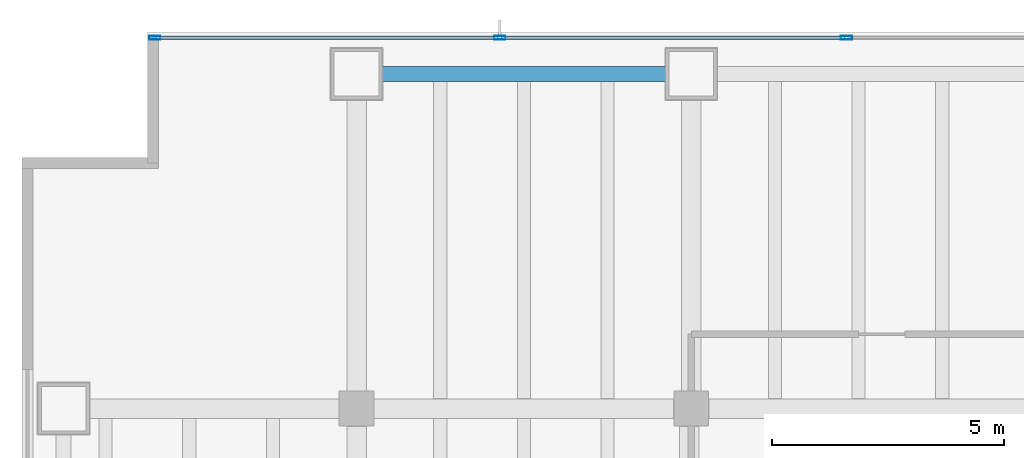
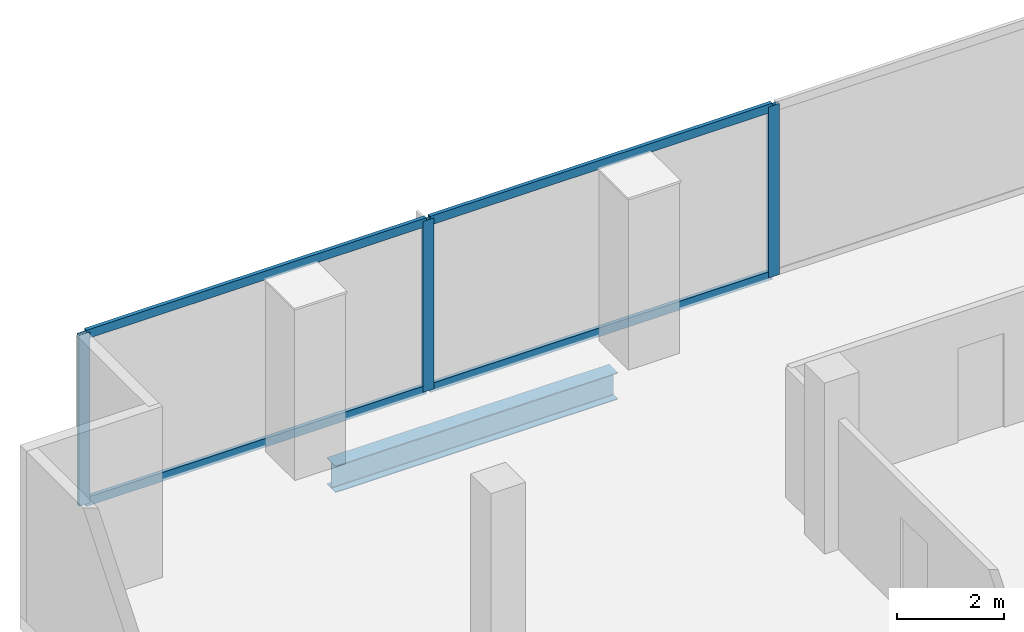
# One storey, part 11 of 32: 7 members, 1 beam, 1 element without a shape of its own.
"""IFC4 building model written with IfcOpenShell, lengths in metres."""

import ifcopenshell
import ifcopenshell.guid

model = None  # the IFC model being written
_history = None  # IfcOwnerHistory: only IFC2X3 demands one
_inside = {}  # id of a spatial element -> (the spatial element, [elements in it])
_under = {}  # id of a project, library or spatial element -> (it, [spatial elements below it])
_declared = {}  # id of a project -> (the project, [libraries it declares])
_typed = {}  # id of a type object -> (the type object, [elements of that type])
_made_of = {}  # id of a material, layer set ... -> (it, [elements and type objects made of it])


def new_model(schema):
    """Start an empty IFC model of exactly this schema.

    Asked for "IFC4X3", IfcOpenShell would pick the latest addendum, in which some entities
    have other attributes; the version numbers below select the first issue.
    IFC2X3 requires an IfcOwnerHistory on every rooted entity: one is made here for all.
    """
    global model, _history
    if schema == "IFC4X3":
        model = ifcopenshell.file(schema_version=(4, 3, 0, 0))
    else:
        model = ifcopenshell.file(schema=schema)
    _inside.clear()
    _under.clear()
    _declared.clear()
    _typed.clear()
    _made_of.clear()
    _history = None
    if model.schema == "IFC2X3":
        org = make("IfcOrganization", Name="unknown")
        user = make(
            "IfcPersonAndOrganization",
            ThePerson=make("IfcPerson", FamilyName="unknown"),
            TheOrganization=org,
        )
        app = make(
            "IfcApplication",
            ApplicationDeveloper=org,
            Version="unknown",
            ApplicationFullName="unknown",
            ApplicationIdentifier="unknown",
        )
        _history = make(
            "IfcOwnerHistory",
            OwningUser=user,
            OwningApplication=app,
            ChangeAction="ADDED",
            CreationDate=0,
        )
    return model


def make(cls, **values):
    """One entity of the class cls with the attributes given. An attribute that is None is left unset."""
    return model.create_entity(
        cls, **{name: value for name, value in values.items() if value is not None}
    )


def rooted(cls, **values):
    """An entity with a GlobalId (a new one), such as an element, a storey or a relation."""
    return make(cls, GlobalId=ifcopenshell.guid.new(), OwnerHistory=_history, **values)


def si_unit(unit_type, name, prefix=None):
    """IfcSIUnit, for example si_unit("LENGTHUNIT", "METRE", prefix="MILLI")."""
    return make("IfcSIUnit", UnitType=unit_type, Prefix=prefix, Name=name)


def assignment(units):
    """IfcUnitAssignment: the units of a project."""
    return None if units is None else make("IfcUnitAssignment", Units=units)


def point(xyz):
    """IfcCartesianPoint."""
    return None if xyz is None else make("IfcCartesianPoint", Coordinates=xyz)


def direction(xyz):
    """IfcDirection."""
    return None if xyz is None else make("IfcDirection", DirectionRatios=xyz)


def frame(location, z_axis=None, x_axis=None):
    """IfcAxis2Placement3D, a coordinate frame: its origin and axes. An axis left out is left unset."""
    return make(
        "IfcAxis2Placement3D",
        Location=point(location),
        Axis=direction(z_axis),
        RefDirection=direction(x_axis),
    )


def frame_2d(location, x_axis=None):
    """IfcAxis2Placement2D, a coordinate frame in the plane: its origin and x axis."""
    return make(
        "IfcAxis2Placement2D", Location=point(location), RefDirection=direction(x_axis)
    )


def origin():
    """The frame at (0, 0, 0) with its axes left unset."""
    return frame((0.0, 0.0, 0.0))


def origin_2d():
    """The frame at (0, 0) in the plane with its x axis left unset."""
    return frame_2d((0.0, 0.0))


def place(relative_to, where):
    """IfcLocalPlacement: puts the frame where relative to a parent placement (None: the world)."""
    return make(
        "IfcLocalPlacement", PlacementRelTo=relative_to, RelativePlacement=where
    )


def context(
    kind, dimensions, precision=None, world=None, true_north=None, identifier=None
):
    """IfcGeometricRepresentationContext, for example the 3D "Model" context."""
    return make(
        "IfcGeometricRepresentationContext",
        ContextIdentifier=identifier,
        ContextType=kind,
        CoordinateSpaceDimension=dimensions,
        Precision=precision,
        WorldCoordinateSystem=world,
        TrueNorth=true_north,
    )


def subcontext(parent, identifier, kind, view, scale=None):
    """IfcGeometricRepresentationSubContext, for example "Body" below "Model"."""
    return make(
        "IfcGeometricRepresentationSubContext",
        ContextIdentifier=identifier,
        ContextType=kind,
        ParentContext=parent,
        TargetScale=scale,
        TargetView=view,
    )


def project(units=None, contexts=None):
    """IfcProject with its units and contexts."""
    return rooted(
        "IfcProject",
        Name="project",
        RepresentationContexts=contexts,
        UnitsInContext=assignment(units),
    )


def spatial(cls, under=None, at=None, **own):
    """A site, building, storey or space (cls), placed at a placement, below another one or the project."""
    s = rooted(cls, ObjectPlacement=at, **own)
    if under is not None:
        _under.setdefault(under.id(), (under, []))[1].append(s)
    return s


def profile(cls, at=None, kind="AREA", **sizes):
    """A parametric profile (cls). Its sizes go by their IFC names, for example OverallWidth=200.0."""
    return make(cls, ProfileType=kind, Position=at, **sizes)


def hollow_rectangle(**sizes):
    """IfcRectangleHollowProfileDef."""
    return profile("IfcRectangleHollowProfileDef", **sizes)


def i_section(**sizes):
    """IfcIShapeProfileDef."""
    return profile("IfcIShapeProfileDef", **sizes)


def extrude(swept, where, along, depth):
    """IfcExtrudedAreaSolid: the profile swept, set in the frame where, extruded along a direction by depth."""
    return make(
        "IfcExtrudedAreaSolid",
        SweptArea=swept,
        Position=where,
        ExtrudedDirection=direction(along),
        Depth=depth,
    )


def shape(context_of_items, identifier, shape_type, items):
    """IfcShapeRepresentation: the items that make up one representation, for example the "Body"."""
    return make(
        "IfcShapeRepresentation",
        ContextOfItems=context_of_items,
        RepresentationIdentifier=identifier,
        RepresentationType=shape_type,
        Items=items,
    )


def material(Name=None, Category=None):
    """IfcMaterial."""
    return make("IfcMaterial", Name=Name, Category=Category)


def material_profile(
    of_material, cross_section, Name=None, Category=None, Priority=None
):
    """IfcMaterialProfile: a cross section and its material."""
    return make(
        "IfcMaterialProfile",
        Name=Name,
        Material=of_material,
        Profile=cross_section,
        Priority=Priority,
        Category=Category,
    )


def profile_set(profiles, Name=None, composite=None):
    """IfcMaterialProfileSet."""
    return make(
        "IfcMaterialProfileSet",
        Name=Name,
        MaterialProfiles=profiles,
        CompositeProfile=composite,
    )


def made_of(thing, what):
    """Note that an element or type object is made of a material, layer set ...; save() writes the relation."""
    if what is not None:
        _made_of.setdefault(what.id(), (what, []))[1].append(thing)
    return thing


def type_object(cls, material=None, **own):
    """A type object (cls), such as IfcWallType, which elements share."""
    return made_of(rooted(cls, **own), material)


def element(
    cls,
    number,
    at=None,
    inside=None,
    cuts=None,
    type_object=None,
    material=None,
    context=None,
    identifier="Body",
    shape_type=None,
    held_by="IfcProductDefinitionShape",
    body=None,
    shapes=None,
    **own,
):
    """One element of the class cls, such as IfcWall. Its Tag is "e" and its number.

    at: its placement. inside: the storey or other place that contains it. cuts: it is an
    opening in that element (IfcRelVoidsElement). A single representation is given by context,
    identifier, shape_type and body (its items); several are given by shapes. held_by: the class
    of the entity that holds the representations. save() writes the other relations.
    """
    e = rooted(cls, Tag="e%d" % number, ObjectPlacement=at, **own)
    if body is not None:
        shapes = [shape(context, identifier, shape_type, body)]
    if shapes is not None:
        e.Representation = make(held_by, Representations=shapes)
    if inside is not None:
        _inside.setdefault(inside.id(), (inside, []))[1].append(e)
    if cuts is not None:
        rooted(
            "IfcRelVoidsElement", RelatingBuildingElement=cuts, RelatedOpeningElement=e
        )
    if type_object is not None:
        _typed.setdefault(type_object.id(), (type_object, []))[1].append(e)
    return made_of(e, material)


def aggregate(whole, parts):
    """IfcRelAggregates: a whole, such as a stair, and the parts it consists of."""
    return rooted("IfcRelAggregates", RelatingObject=whole, RelatedObjects=parts)


def save(model, path):
    """Write the relations noted so far, then the file.

    IfcRelAggregates (storeys below a building ...), IfcRelContainedInSpatialStructure (elements
    in a storey), IfcRelDefinesByType, IfcRelAssociatesMaterial and IfcRelDeclares: one each for
    every whole, place, type object, material and project.
    """
    for whole, parts in _under.values():
        aggregate(whole, parts)
    for where, things in _inside.values():
        rooted(
            "IfcRelContainedInSpatialStructure",
            RelatedElements=things,
            RelatingStructure=where,
        )
    for kind, things in _typed.values():
        rooted("IfcRelDefinesByType", RelatedObjects=things, RelatingType=kind)
    for what, things in _made_of.values():
        rooted("IfcRelAssociatesMaterial", RelatedObjects=things, RelatingMaterial=what)
    for by, libraries in _declared.values():
        rooted("IfcRelDeclares", RelatingContext=by, RelatedDefinitions=libraries)
    model.write(path)


model = new_model("IFC4")

# Units and contexts
model_context = context("Model", 3, precision=1e-05, world=origin(), true_north=direction((0.0, 1.0)))
body_context = subcontext(model_context, "Body", "Model", "MODEL_VIEW")
ifc_project = project(units=[si_unit("LENGTHUNIT", "METRE"), si_unit("AREAUNIT", "SQUARE_METRE"), si_unit("VOLUMEUNIT", "CUBIC_METRE"), si_unit("PLANEANGLEUNIT", "RADIAN"), si_unit("MASSUNIT", "GRAM", prefix="KILO")], contexts=[model_context])

# Site, building, storey
site_placement = place(None, origin())
site = spatial("IfcSite", under=ifc_project, at=site_placement, CompositionType="ELEMENT")
building_placement = place(site_placement, origin())
building = spatial("IfcBuilding", under=site, at=building_placement, Name="Cobrela Telecom Tower", CompositionType="ELEMENT")
storey_placement = place(building_placement, frame((0.0, 0.0, 22.050048828125)))
storey = spatial("IfcBuildingStorey", under=building, at=storey_placement, Name="L05", CompositionType="ELEMENT", Elevation=22.050048828125)

# Beam
ifc_material_1 = material(Name="Steel ASTM A992 Grade 50", Category="steel")
ifc_material_profile_1 = material_profile(ifc_material_1, i_section(OverallWidth=0.324951171875, OverallDepth=0.612060546875, WebThickness=0.0126953125, FlangeThickness=0.01904296875, FilletRadius=0.014892578125, at=origin_2d()), Name="W24X104")
ifc_profile_set_1 = profile_set([ifc_material_profile_1], Name="Steel ASTM A992 Grade 50")
beam_type = type_object("IfcBeamType", Name="BM-SPAND-02", PredefinedType="SPANDREL", material=ifc_profile_set_1)
beam_placement = place(storey_placement, frame((7.7548828125, 49.5, -0.595947265625), z_axis=(1.0, 0.0, 0.0), x_axis=(0.0, 1.0, 0.0)))
element("IfcBeam", 1, at=beam_placement, inside=storey, type_object=beam_type, Name="L05 Perimeter Spandrel X52", PredefinedType="SPANDREL", context=body_context, shape_type="SweptSolid", body=[
    extrude(i_section(OverallWidth=0.324951171875, OverallDepth=0.612060546875, WebThickness=0.0126953125, FlangeThickness=0.01904296875, FilletRadius=0.014892578125, at=origin_2d()), origin(), (0.0, 0.0, 1.0), 6.090087890625),
])

# Curtain wall, members
ifc_material_2 = material(Name="Anodized Bronze Aluminium 6063-T6", Category="aluminium")
curtain_wall_type = type_object("IfcCurtainWallType", Name="CW-SYS-CONC", PredefinedType="USERDEFINED", material=ifc_material_2)
curtain_wall_placement = place(storey_placement, origin())
curtain_wall = element("IfcCurtainWall", 2, at=curtain_wall_placement, inside=storey, type_object=curtain_wall_type, Name="L05 Unitised Bronze Curtain Wall 07", ObjectType="UNITISED CURTAIN WALL", PredefinedType="USERDEFINED")
ifc_material_profile_2 = material_profile(ifc_material_2, hollow_rectangle(XDim=0.080078125, YDim=0.239990234375, WallThickness=0.0048828125, at=origin_2d()), Name="ALU 80x240x5")
ifc_profile_set_2 = profile_set([ifc_material_profile_2], Name="Anodized Bronze Aluminium 6063-T6")
member_type_1 = type_object("IfcMemberType", Name="CW-SYS-CONC-MUL", PredefinedType="MULLION", material=ifc_profile_set_2)
member_1_placement = place(storey_placement, frame((2.860107421875, 50.280029296875, 0.0), z_axis=(0.0, 0.0, 1.0), x_axis=(0.0, 1.0, 0.0)))
member_1 = element("IfcMember", 3, at=member_1_placement, type_object=member_type_1, Name="CW-CONC mullion 1", PredefinedType="MULLION", context=body_context, shape_type="SweptSolid", body=[
    extrude(hollow_rectangle(XDim=0.080078125, YDim=0.239990234375, WallThickness=0.0048828125, at=origin_2d()), origin(), (0.0, 0.0, 1.0), 3.89990234375),
])
member_2_placement = place(storey_placement, frame((10.280029296875, 50.280029296875, 0.0), z_axis=(0.0, 0.0, 1.0), x_axis=(0.0, 1.0, 0.0)))
member_2 = element("IfcMember", 4, at=member_2_placement, type_object=member_type_1, Name="CW-CONC mullion 2", PredefinedType="MULLION", context=body_context, shape_type="SweptSolid", body=[
    extrude(hollow_rectangle(XDim=0.080078125, YDim=0.239990234375, WallThickness=0.0048828125, at=origin_2d()), origin(), (0.0, 0.0, 1.0), 3.89990234375),
])
member_3_placement = place(storey_placement, frame((17.739990234375, 50.280029296875, 0.0), z_axis=(0.0, 0.0, 1.0), x_axis=(0.0, 1.0, 0.0)))
member_3 = element("IfcMember", 5, at=member_3_placement, type_object=member_type_1, Name="CW-CONC mullion 3", PredefinedType="MULLION", context=body_context, shape_type="SweptSolid", body=[
    extrude(hollow_rectangle(XDim=0.080078125, YDim=0.239990234375, WallThickness=0.0048828125, at=origin_2d()), origin(), (0.0, 0.0, 1.0), 3.89990234375),
])
ifc_material_profile_3 = material_profile(ifc_material_2, hollow_rectangle(XDim=0.080078125, YDim=0.199951171875, WallThickness=0.00390625, at=origin_2d()), Name="ALU 80x200x4")
ifc_profile_set_3 = profile_set([ifc_material_profile_3], Name="Anodized Bronze Aluminium 6063-T6")
member_type_2 = type_object("IfcMemberType", Name="CW-SYS-CONC-TRN", PredefinedType="USERDEFINED", material=ifc_profile_set_3)
member_4_placement = place(storey_placement, frame((2.89990234375, 50.280029296875, 0.0400390625), z_axis=(1.0, 0.0, 0.0), x_axis=(0.0, 1.0, 0.0)))
member_4 = element("IfcMember", 6, at=member_4_placement, type_object=member_type_2, Name="CW-CONC transom 1.1", ObjectType="TRANSOM", PredefinedType="USERDEFINED", context=body_context, shape_type="SweptSolid", body=[
    extrude(hollow_rectangle(XDim=0.080078125, YDim=0.199951171875, WallThickness=0.00390625, at=origin_2d()), origin(), (0.0, 0.0, 1.0), 7.340087890625),
])
member_5_placement = place(storey_placement, frame((2.89990234375, 50.280029296875, 3.85986328125), z_axis=(1.0, 0.0, 0.0), x_axis=(0.0, 1.0, 0.0)))
member_5 = element("IfcMember", 7, at=member_5_placement, type_object=member_type_2, Name="CW-CONC transom 1.2", ObjectType="TRANSOM", PredefinedType="USERDEFINED", context=body_context, shape_type="SweptSolid", body=[
    extrude(hollow_rectangle(XDim=0.080078125, YDim=0.199951171875, WallThickness=0.00390625, at=origin_2d()), origin(), (0.0, 0.0, 1.0), 7.340087890625),
])
member_6_placement = place(storey_placement, frame((10.320068359375, 50.280029296875, 0.0400390625), z_axis=(1.0, 0.0, 0.0), x_axis=(0.0, 1.0, 0.0)))
member_6 = element("IfcMember", 8, at=member_6_placement, type_object=member_type_2, Name="CW-CONC transom 2.1", ObjectType="TRANSOM", PredefinedType="USERDEFINED", context=body_context, shape_type="SweptSolid", body=[
    extrude(hollow_rectangle(XDim=0.080078125, YDim=0.199951171875, WallThickness=0.00390625, at=origin_2d()), origin(), (0.0, 0.0, 1.0), 7.3798828125),
])
member_7_placement = place(storey_placement, frame((10.320068359375, 50.280029296875, 3.85986328125), z_axis=(1.0, 0.0, 0.0), x_axis=(0.0, 1.0, 0.0)))
member_7 = element("IfcMember", 9, at=member_7_placement, type_object=member_type_2, Name="CW-CONC transom 2.2", ObjectType="TRANSOM", PredefinedType="USERDEFINED", context=body_context, shape_type="SweptSolid", body=[
    extrude(hollow_rectangle(XDim=0.080078125, YDim=0.199951171875, WallThickness=0.00390625, at=origin_2d()), origin(), (0.0, 0.0, 1.0), 7.3798828125),
])
aggregate(curtain_wall, [member_1, member_2, member_3, member_4, member_5, member_6, member_7])

save(model, "model.ifc")
